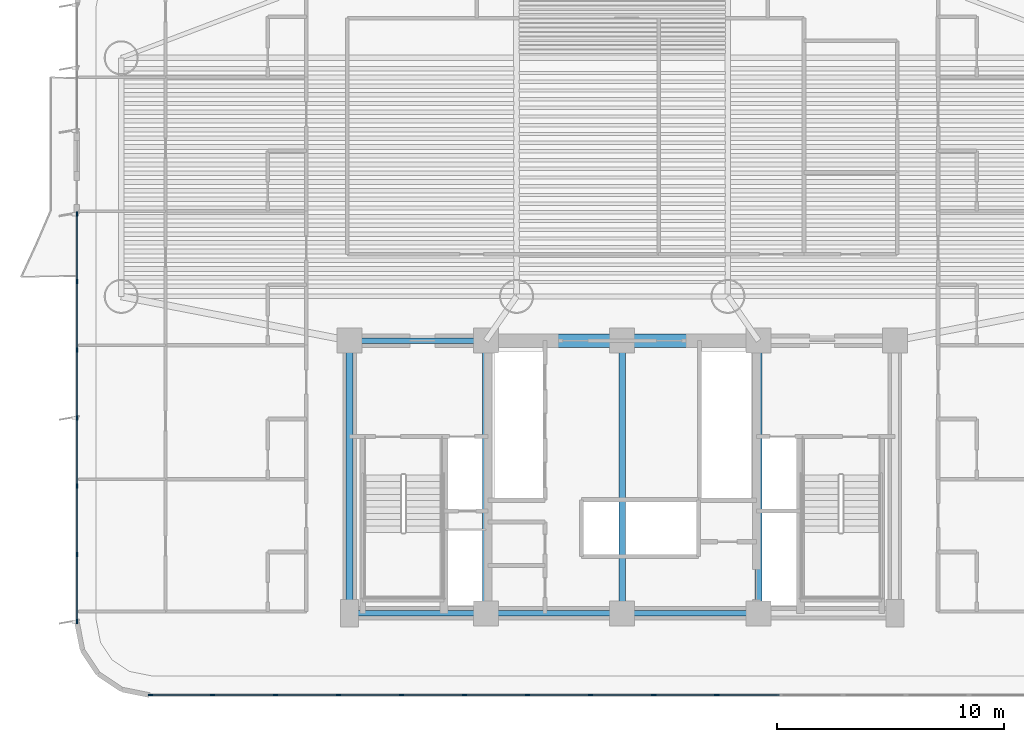
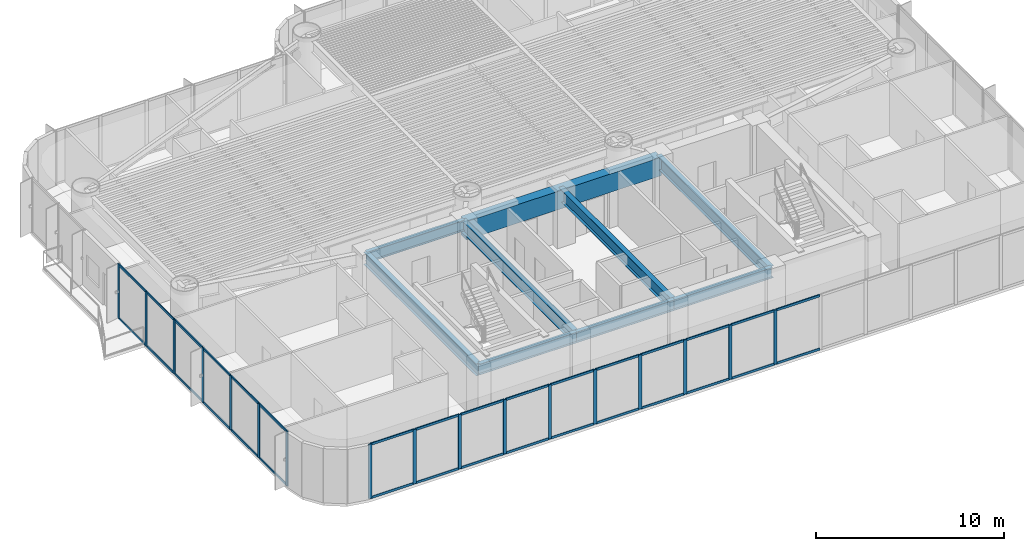
# One storey, part 2 of 18: 49 members, 9 beams, 2 elements without a shape of their own.
"""IFC4 building model written with IfcOpenShell, lengths in metres."""

from ifc_helpers import new_model, si_unit, direction, frame, origin, origin_2d, place, context, subcontext, project, spatial, rectangle, i_section, extrude, source, transform, mapped, material, layer, layer_set, material_profile, profile_set, type_object, element, aggregate, save


model = new_model("IFC4")

# Units and contexts
model_context = context("Model", 3, precision=1e-05, world=origin(), true_north=direction((0.0, 1.0)))
body_context = subcontext(model_context, "Body", "Model", "MODEL_VIEW")
ifc_project = project(units=[si_unit("LENGTHUNIT", "METRE"), si_unit("AREAUNIT", "SQUARE_METRE"), si_unit("VOLUMEUNIT", "CUBIC_METRE"), si_unit("PLANEANGLEUNIT", "RADIAN"), si_unit("MASSUNIT", "GRAM", prefix="KILO")], contexts=[model_context])

# Site, building, storey
site_placement = place(None, origin())
site = spatial("IfcSite", under=ifc_project, at=site_placement, CompositionType="ELEMENT")
building_placement = place(site_placement, origin())
building = spatial("IfcBuilding", under=site, at=building_placement, Name="Brelvock Crest Care Tower", CompositionType="ELEMENT")
storey_placement = place(building_placement, frame((0.0, 0.0, 42.1201171875)))
storey = spatial("IfcBuildingStorey", under=building, at=storey_placement, Name="L10", CompositionType="ELEMENT", Elevation=42.1201171875)

# Beams
ifc_material_1 = material(Name="Concrete S80 (80 MPa)", Category="concrete")
ifc_material_profile_1 = material_profile(ifc_material_1, rectangle(XDim=0.60009765625, YDim=1.199951171875, at=origin_2d()), Name="RC600x1200")
ifc_profile_set_1 = profile_set([ifc_material_profile_1], Name="Concrete S80 (80 MPa)")
beam_type_1 = type_object("IfcBeamType", Name="BM-LN1", PredefinedType="LINTEL", material=ifc_profile_set_1)
shared_shape_1 = source(origin(), body_context, "Body", "SweptSolid", [
    extrude(rectangle(XDim=0.60009765625, YDim=1.199951171875, at=origin_2d()), origin(), (0.0, 0.0, 1.0), 12.0),
])
beam_placement = place(storey_placement, frame((30.0, 18.0, 2.929931640625), z_axis=(1.0, 0.0, 0.0), x_axis=(0.0, 1.0, 0.0)))
element("IfcBeam", 1, at=beam_placement, inside=storey, type_object=beam_type_1, Name="L10 Core Coupling Lintel Beam", PredefinedType="LINTEL", context=body_context, shape_type="MappedRepresentation", body=[
    mapped(shared_shape_1, transform((0.0, 0.0, 0.0), x_axis=(1.0, 0.0, 0.0), y_axis=(0.0, 1.0, 0.0), z_axis=(0.0, 0.0, 1.0), scale=1.0)),
])
ifc_material_2 = material(Name="Steel Grade 350", Category="steel")
ifc_material_profile_2 = material_profile(ifc_material_2, i_section(OverallWidth=0.25, OverallDepth=0.699951171875, WebThickness=0.011962890625, FlangeThickness=0.02001953125, at=origin_2d()), Name="700WB150")
ifc_profile_set_2 = profile_set([ifc_material_profile_2], Name="Steel Grade 350")
beam_type_2 = type_object("IfcBeamType", Name="BM-G4", PredefinedType="BEAM", material=ifc_profile_set_2)
shared_shape_2 = source(origin(), body_context, "Body", "SweptSolid", [
    extrude(i_section(OverallWidth=0.25, OverallDepth=0.699951171875, WebThickness=0.011962890625, FlangeThickness=0.02001953125, at=origin_2d()), origin(), (0.0, 0.0, 1.0), 6.0),
])
for number, where, z_axis, x_axis, name in (
    (2, (24.0, 6.0, 3.179931640625), (1.0, 0.0, 0.0), (0.0, 1.0, 0.0), "BM-CORES-L10-1"),
    (3, (24.0, 18.0, 3.179931640625), (1.0, 0.0, 0.0), (0.0, 1.0, 0.0), "BM-COREN-L10-1"),
    (4, (30.0, 6.0, 3.179931640625), (1.0, 0.0, 0.0), (0.0, 1.0, 0.0), "BM-CORES-L10-2"),
    (5, (36.0, 6.0, 3.179931640625), (1.0, 0.0, 0.0), (0.0, 1.0, 0.0), "BM-CORES-L10-3"),
):
    element("IfcBeam", number, at=place(storey_placement, frame(where, z_axis=z_axis, x_axis=x_axis)), inside=storey, type_object=beam_type_2, Name=name, PredefinedType="BEAM", context=body_context, shape_type="MappedRepresentation", body=[
        mapped(shared_shape_2, transform((0.0, 0.0, 0.0), x_axis=(1.0, 0.0, 0.0), y_axis=(0.0, 1.0, 0.0), z_axis=(0.0, 0.0, 1.0), scale=1.0)),
    ])
ifc_material_profile_3 = material_profile(ifc_material_2, i_section(OverallWidth=0.300048828125, OverallDepth=0.800048828125, WebThickness=0.013916015625, FlangeThickness=0.02197265625, at=origin_2d()), Name="800WB192")
ifc_profile_set_3 = profile_set([ifc_material_profile_3], Name="Steel Grade 350")
beam_type_3 = type_object("IfcBeamType", Name="BM-G5", PredefinedType="BEAM", material=ifc_profile_set_3)
shared_shape_3 = source(origin(), body_context, "Body", "SweptSolid", [
    extrude(i_section(OverallWidth=0.300048828125, OverallDepth=0.800048828125, WebThickness=0.013916015625, FlangeThickness=0.02197265625, at=origin_2d()), origin(), (0.0, 0.0, 1.0), 12.0),
])
for number, where, z_axis, x_axis, name in (
    (6, (24.0, 6.0, 3.1298828125), (0.0, 1.0, 0.0), (-1.0, 0.0, 0.0), "BM-COREX-L10-1"),
    (7, (30.0, 6.0, 3.1298828125), (0.0, 1.0, 0.0), (-1.0, 0.0, 0.0), "BM-COREX-L10-2"),
    (8, (36.0, 6.0, 3.1298828125), (0.0, 1.0, 0.0), (-1.0, 0.0, 0.0), "BM-COREX-L10-3"),
    (9, (42.0, 6.0, 3.1298828125), (0.0, 1.0, 0.0), (-1.0, 0.0, 0.0), "BM-COREX-L10-4"),
):
    element("IfcBeam", number, at=place(storey_placement, frame(where, z_axis=z_axis, x_axis=x_axis)), inside=storey, type_object=beam_type_3, Name=name, PredefinedType="BEAM", context=body_context, shape_type="MappedRepresentation", body=[
        mapped(shared_shape_3, transform((0.0, 0.0, 0.0), x_axis=(1.0, 0.0, 0.0), y_axis=(0.0, 1.0, 0.0), z_axis=(0.0, 0.0, 1.0), scale=1.0)),
    ])

# Curtain wall, members
ifc_material_3 = material(Name="Dark Glass Double Glazed Low-E", Category="glass")
ifc_layer = layer(ifc_material_3, 0.195068359375, Name="CWS-2")
ifc_layer_set = layer_set([ifc_layer], Name="Dark Glass Double Glazed Low-E")
curtain_wall_type = type_object("IfcCurtainWallType", Name="CWS-2", PredefinedType="NOTDEFINED", material=ifc_layer_set)
curtain_wall_1_placement = place(storey_placement, origin())
curtain_wall_1 = element("IfcCurtainWall", 10, at=curtain_wall_1_placement, inside=storey, type_object=curtain_wall_type, Name="L10 Curtain Wall E08", PredefinedType="NOTDEFINED")
ifc_material_4 = material(Name="Aluminium 6063-T6", Category="aluminium")
ifc_material_profile_4 = material_profile(ifc_material_4, rectangle(XDim=0.06494140625, YDim=0.14990234375, at=origin_2d()), Name="ALU65x150")
ifc_profile_set_4 = profile_set([ifc_material_profile_4], Name="Aluminium 6063-T6")
member_type_1 = type_object("IfcMemberType", Name="CWT-1", PredefinedType="USERDEFINED", material=ifc_profile_set_4)
shared_shape_4 = source(origin(), body_context, "Body", "SweptSolid", [
    extrude(rectangle(XDim=0.06494140625, YDim=0.14990234375, at=origin_2d()), origin(), (0.0, 0.0, 1.0), 2.676025390625),
])
member_1_placement = place(storey_placement, frame((17.94091796875, 2.39990234375, 0.032470703125), z_axis=(-1.0, 0.0, 0.0), x_axis=(0.0, -1.0, 0.0)))
member_1 = element("IfcMember", 11, at=member_1_placement, type_object=member_type_1, Name="CW-2 transom 15.1", ObjectType="TRANSOM", PredefinedType="USERDEFINED", context=body_context, shape_type="MappedRepresentation", body=[
    mapped(shared_shape_4, transform((0.0, 0.0, 0.0), x_axis=(1.0, 0.0, 0.0), y_axis=(0.0, 1.0, 0.0), z_axis=(0.0, 0.0, 1.0), scale=1.0)),
])
member_2_placement = place(storey_placement, frame((17.94091796875, 2.39990234375, 3.497314453125), z_axis=(-1.0, 0.0, 0.0), x_axis=(0.0, -1.0, 0.0)))
member_2 = element("IfcMember", 12, at=member_2_placement, type_object=member_type_1, Name="CW-2 transom 15.2", ObjectType="TRANSOM", PredefinedType="USERDEFINED", context=body_context, shape_type="MappedRepresentation", body=[
    mapped(shared_shape_4, transform((0.0, 0.0, 0.0), x_axis=(1.0, 0.0, 0.0), y_axis=(0.0, 1.0, 0.0), z_axis=(0.0, 0.0, 1.0), scale=1.0)),
])
shared_shape_5 = source(origin(), body_context, "Body", "SweptSolid", [
    extrude(rectangle(XDim=0.06494140625, YDim=0.14990234375, at=origin_2d()), origin(), (0.0, 0.0, 1.0), 2.708251953125),
])
member_3_placement = place(storey_placement, frame((40.12744140625, 2.39990234375, 0.032470703125), z_axis=(-1.0, 0.0, 0.0), x_axis=(0.0, -1.0, 0.0)))
member_3 = element("IfcMember", 13, at=member_3_placement, type_object=member_type_1, Name="CW-2 transom 7.1", ObjectType="TRANSOM", PredefinedType="USERDEFINED", context=body_context, shape_type="MappedRepresentation", body=[
    mapped(shared_shape_5, transform((0.0, 0.0, 0.0), x_axis=(1.0, 0.0, 0.0), y_axis=(0.0, 1.0, 0.0), z_axis=(0.0, 0.0, 1.0), scale=1.0)),
])
member_4_placement = place(storey_placement, frame((40.12744140625, 2.39990234375, 3.497314453125), z_axis=(-1.0, 0.0, 0.0), x_axis=(0.0, -1.0, 0.0)))
member_4 = element("IfcMember", 14, at=member_4_placement, type_object=member_type_1, Name="CW-2 transom 7.2", ObjectType="TRANSOM", PredefinedType="USERDEFINED", context=body_context, shape_type="MappedRepresentation", body=[
    mapped(shared_shape_5, transform((0.0, 0.0, 0.0), x_axis=(1.0, 0.0, 0.0), y_axis=(0.0, 1.0, 0.0), z_axis=(0.0, 0.0, 1.0), scale=1.0)),
])
member_5_placement = place(storey_placement, frame((34.580810546875, 2.39990234375, 0.032470703125), z_axis=(-1.0, 0.0, 0.0), x_axis=(0.0, -1.0, 0.0)))
member_5 = element("IfcMember", 15, at=member_5_placement, type_object=member_type_1, Name="CW-2 transom 9.1", ObjectType="TRANSOM", PredefinedType="USERDEFINED", context=body_context, shape_type="MappedRepresentation", body=[
    mapped(shared_shape_5, transform((0.0, 0.0, 0.0), x_axis=(1.0, 0.0, 0.0), y_axis=(0.0, 1.0, 0.0), z_axis=(0.0, 0.0, 1.0), scale=1.0)),
])
member_6_placement = place(storey_placement, frame((34.580810546875, 2.39990234375, 3.497314453125), z_axis=(-1.0, 0.0, 0.0), x_axis=(0.0, -1.0, 0.0)))
member_6 = element("IfcMember", 16, at=member_6_placement, type_object=member_type_1, Name="CW-2 transom 9.2", ObjectType="TRANSOM", PredefinedType="USERDEFINED", context=body_context, shape_type="MappedRepresentation", body=[
    mapped(shared_shape_5, transform((0.0, 0.0, 0.0), x_axis=(1.0, 0.0, 0.0), y_axis=(0.0, 1.0, 0.0), z_axis=(0.0, 0.0, 1.0), scale=1.0)),
])
member_7_placement = place(storey_placement, frame((29.0341796875, 2.39990234375, 0.032470703125), z_axis=(-1.0, 0.0, 0.0), x_axis=(0.0, -1.0, 0.0)))
member_7 = element("IfcMember", 17, at=member_7_placement, type_object=member_type_1, Name="CW-2 transom 11.1", ObjectType="TRANSOM", PredefinedType="USERDEFINED", context=body_context, shape_type="MappedRepresentation", body=[
    mapped(shared_shape_5, transform((0.0, 0.0, 0.0), x_axis=(1.0, 0.0, 0.0), y_axis=(0.0, 1.0, 0.0), z_axis=(0.0, 0.0, 1.0), scale=1.0)),
])
member_8_placement = place(storey_placement, frame((29.0341796875, 2.39990234375, 3.497314453125), z_axis=(-1.0, 0.0, 0.0), x_axis=(0.0, -1.0, 0.0)))
member_8 = element("IfcMember", 18, at=member_8_placement, type_object=member_type_1, Name="CW-2 transom 11.2", ObjectType="TRANSOM", PredefinedType="USERDEFINED", context=body_context, shape_type="MappedRepresentation", body=[
    mapped(shared_shape_5, transform((0.0, 0.0, 0.0), x_axis=(1.0, 0.0, 0.0), y_axis=(0.0, 1.0, 0.0), z_axis=(0.0, 0.0, 1.0), scale=1.0)),
])
member_9_placement = place(storey_placement, frame((26.2607421875, 2.39990234375, 0.032470703125), z_axis=(-1.0, 0.0, 0.0), x_axis=(0.0, -1.0, 0.0)))
member_9 = element("IfcMember", 19, at=member_9_placement, type_object=member_type_1, Name="CW-2 transom 12.1", ObjectType="TRANSOM", PredefinedType="USERDEFINED", context=body_context, shape_type="MappedRepresentation", body=[
    mapped(shared_shape_5, transform((0.0, 0.0, 0.0), x_axis=(1.0, 0.0, 0.0), y_axis=(0.0, 1.0, 0.0), z_axis=(0.0, 0.0, 1.0), scale=1.0)),
])
member_10_placement = place(storey_placement, frame((26.2607421875, 2.39990234375, 3.497314453125), z_axis=(-1.0, 0.0, 0.0), x_axis=(0.0, -1.0, 0.0)))
member_10 = element("IfcMember", 20, at=member_10_placement, type_object=member_type_1, Name="CW-2 transom 12.2", ObjectType="TRANSOM", PredefinedType="USERDEFINED", context=body_context, shape_type="MappedRepresentation", body=[
    mapped(shared_shape_5, transform((0.0, 0.0, 0.0), x_axis=(1.0, 0.0, 0.0), y_axis=(0.0, 1.0, 0.0), z_axis=(0.0, 0.0, 1.0), scale=1.0)),
])
member_11_placement = place(storey_placement, frame((20.714111328125, 2.39990234375, 0.032470703125), z_axis=(-1.0, 0.0, 0.0), x_axis=(0.0, -1.0, 0.0)))
member_11 = element("IfcMember", 21, at=member_11_placement, type_object=member_type_1, Name="CW-2 transom 14.1", ObjectType="TRANSOM", PredefinedType="USERDEFINED", context=body_context, shape_type="MappedRepresentation", body=[
    mapped(shared_shape_5, transform((0.0, 0.0, 0.0), x_axis=(1.0, 0.0, 0.0), y_axis=(0.0, 1.0, 0.0), z_axis=(0.0, 0.0, 1.0), scale=1.0)),
])
member_12_placement = place(storey_placement, frame((20.714111328125, 2.39990234375, 3.497314453125), z_axis=(-1.0, 0.0, 0.0), x_axis=(0.0, -1.0, 0.0)))
member_12 = element("IfcMember", 22, at=member_12_placement, type_object=member_type_1, Name="CW-2 transom 14.2", ObjectType="TRANSOM", PredefinedType="USERDEFINED", context=body_context, shape_type="MappedRepresentation", body=[
    mapped(shared_shape_5, transform((0.0, 0.0, 0.0), x_axis=(1.0, 0.0, 0.0), y_axis=(0.0, 1.0, 0.0), z_axis=(0.0, 0.0, 1.0), scale=1.0)),
])
shared_shape_6 = source(origin(), body_context, "Body", "SweptSolid", [
    extrude(rectangle(XDim=0.06494140625, YDim=0.14990234375, at=origin_2d()), origin(), (0.0, 0.0, 1.0), 2.70849609375),
])
member_13_placement = place(storey_placement, frame((42.90087890625, 2.39990234375, 0.032470703125), z_axis=(-1.0, 0.0, 0.0), x_axis=(0.0, -1.0, 0.0)))
member_13 = element("IfcMember", 23, at=member_13_placement, type_object=member_type_1, Name="CW-2 transom 6.1", ObjectType="TRANSOM", PredefinedType="USERDEFINED", context=body_context, shape_type="MappedRepresentation", body=[
    mapped(shared_shape_6, transform((0.0, 0.0, 0.0), x_axis=(1.0, 0.0, 0.0), y_axis=(0.0, 1.0, 0.0), z_axis=(0.0, 0.0, 1.0), scale=1.0)),
])
member_14_placement = place(storey_placement, frame((42.90087890625, 2.39990234375, 3.497314453125), z_axis=(-1.0, 0.0, 0.0), x_axis=(0.0, -1.0, 0.0)))
member_14 = element("IfcMember", 24, at=member_14_placement, type_object=member_type_1, Name="CW-2 transom 6.2", ObjectType="TRANSOM", PredefinedType="USERDEFINED", context=body_context, shape_type="MappedRepresentation", body=[
    mapped(shared_shape_6, transform((0.0, 0.0, 0.0), x_axis=(1.0, 0.0, 0.0), y_axis=(0.0, 1.0, 0.0), z_axis=(0.0, 0.0, 1.0), scale=1.0)),
])
member_15_placement = place(storey_placement, frame((37.354248046875, 2.39990234375, 0.032470703125), z_axis=(-1.0, 0.0, 0.0), x_axis=(0.0, -1.0, 0.0)))
member_15 = element("IfcMember", 25, at=member_15_placement, type_object=member_type_1, Name="CW-2 transom 8.1", ObjectType="TRANSOM", PredefinedType="USERDEFINED", context=body_context, shape_type="MappedRepresentation", body=[
    mapped(shared_shape_6, transform((0.0, 0.0, 0.0), x_axis=(1.0, 0.0, 0.0), y_axis=(0.0, 1.0, 0.0), z_axis=(0.0, 0.0, 1.0), scale=1.0)),
])
member_16_placement = place(storey_placement, frame((37.354248046875, 2.39990234375, 3.497314453125), z_axis=(-1.0, 0.0, 0.0), x_axis=(0.0, -1.0, 0.0)))
member_16 = element("IfcMember", 26, at=member_16_placement, type_object=member_type_1, Name="CW-2 transom 8.2", ObjectType="TRANSOM", PredefinedType="USERDEFINED", context=body_context, shape_type="MappedRepresentation", body=[
    mapped(shared_shape_6, transform((0.0, 0.0, 0.0), x_axis=(1.0, 0.0, 0.0), y_axis=(0.0, 1.0, 0.0), z_axis=(0.0, 0.0, 1.0), scale=1.0)),
])
member_17_placement = place(storey_placement, frame((31.8076171875, 2.39990234375, 0.032470703125), z_axis=(-1.0, 0.0, 0.0), x_axis=(0.0, -1.0, 0.0)))
member_17 = element("IfcMember", 27, at=member_17_placement, type_object=member_type_1, Name="CW-2 transom 10.1", ObjectType="TRANSOM", PredefinedType="USERDEFINED", context=body_context, shape_type="MappedRepresentation", body=[
    mapped(shared_shape_6, transform((0.0, 0.0, 0.0), x_axis=(1.0, 0.0, 0.0), y_axis=(0.0, 1.0, 0.0), z_axis=(0.0, 0.0, 1.0), scale=1.0)),
])
member_18_placement = place(storey_placement, frame((31.8076171875, 2.39990234375, 3.497314453125), z_axis=(-1.0, 0.0, 0.0), x_axis=(0.0, -1.0, 0.0)))
member_18 = element("IfcMember", 28, at=member_18_placement, type_object=member_type_1, Name="CW-2 transom 10.2", ObjectType="TRANSOM", PredefinedType="USERDEFINED", context=body_context, shape_type="MappedRepresentation", body=[
    mapped(shared_shape_6, transform((0.0, 0.0, 0.0), x_axis=(1.0, 0.0, 0.0), y_axis=(0.0, 1.0, 0.0), z_axis=(0.0, 0.0, 1.0), scale=1.0)),
])
member_19_placement = place(storey_placement, frame((23.487548828125, 2.39990234375, 0.032470703125), z_axis=(-1.0, 0.0, 0.0), x_axis=(0.0, -1.0, 0.0)))
member_19 = element("IfcMember", 29, at=member_19_placement, type_object=member_type_1, Name="CW-2 transom 13.1", ObjectType="TRANSOM", PredefinedType="USERDEFINED", context=body_context, shape_type="MappedRepresentation", body=[
    mapped(shared_shape_6, transform((0.0, 0.0, 0.0), x_axis=(1.0, 0.0, 0.0), y_axis=(0.0, 1.0, 0.0), z_axis=(0.0, 0.0, 1.0), scale=1.0)),
])
member_20_placement = place(storey_placement, frame((23.487548828125, 2.39990234375, 3.497314453125), z_axis=(-1.0, 0.0, 0.0), x_axis=(0.0, -1.0, 0.0)))
member_20 = element("IfcMember", 30, at=member_20_placement, type_object=member_type_1, Name="CW-2 transom 13.2", ObjectType="TRANSOM", PredefinedType="USERDEFINED", context=body_context, shape_type="MappedRepresentation", body=[
    mapped(shared_shape_6, transform((0.0, 0.0, 0.0), x_axis=(1.0, 0.0, 0.0), y_axis=(0.0, 1.0, 0.0), z_axis=(0.0, 0.0, 1.0), scale=1.0)),
])

curtain_wall_2_placement = place(storey_placement, origin())
curtain_wall_2 = element("IfcCurtainWall", 31, at=curtain_wall_2_placement, inside=storey, type_object=curtain_wall_type, Name="L10 Curtain Wall E13A", PredefinedType="NOTDEFINED")
shared_shape_7 = source(origin(), body_context, "Body", "SweptSolid", [
    extrude(rectangle(XDim=0.06494140625, YDim=0.14990234375, at=origin_2d()), origin(), (0.0, 0.0, 1.0), 2.90234375),
])
member_21_placement = place(storey_placement, frame((12.0, 5.6650390625, 0.032470703125), z_axis=(0.0, 1.0, 0.0), x_axis=(-1.0, 0.0, 0.0)))
member_21 = element("IfcMember", 32, at=member_21_placement, type_object=member_type_1, Name="CW-2 transom 1.1", ObjectType="TRANSOM", PredefinedType="USERDEFINED", context=body_context, shape_type="MappedRepresentation", body=[
    mapped(shared_shape_7, transform((0.0, 0.0, 0.0), x_axis=(1.0, 0.0, 0.0), y_axis=(0.0, 1.0, 0.0), z_axis=(0.0, 0.0, 1.0), scale=1.0)),
])
member_22_placement = place(storey_placement, frame((12.0, 5.6650390625, 3.497314453125), z_axis=(0.0, 1.0, 0.0), x_axis=(-1.0, 0.0, 0.0)))
member_22 = element("IfcMember", 33, at=member_22_placement, type_object=member_type_1, Name="CW-2 transom 1.2", ObjectType="TRANSOM", PredefinedType="USERDEFINED", context=body_context, shape_type="MappedRepresentation", body=[
    mapped(shared_shape_7, transform((0.0, 0.0, 0.0), x_axis=(1.0, 0.0, 0.0), y_axis=(0.0, 1.0, 0.0), z_axis=(0.0, 0.0, 1.0), scale=1.0)),
])
member_23_placement = place(storey_placement, frame((12.0, 20.632568359375, 0.032470703125), z_axis=(0.0, 1.0, 0.0), x_axis=(-1.0, 0.0, 0.0)))
member_23 = element("IfcMember", 34, at=member_23_placement, type_object=member_type_1, Name="CW-2 transom 6.1", ObjectType="TRANSOM", PredefinedType="USERDEFINED", context=body_context, shape_type="MappedRepresentation", body=[
    mapped(shared_shape_7, transform((0.0, 0.0, 0.0), x_axis=(1.0, 0.0, 0.0), y_axis=(0.0, 1.0, 0.0), z_axis=(0.0, 0.0, 1.0), scale=1.0)),
])
member_24_placement = place(storey_placement, frame((12.0, 20.632568359375, 3.497314453125), z_axis=(0.0, 1.0, 0.0), x_axis=(-1.0, 0.0, 0.0)))
member_24 = element("IfcMember", 35, at=member_24_placement, type_object=member_type_1, Name="CW-2 transom 6.2", ObjectType="TRANSOM", PredefinedType="USERDEFINED", context=body_context, shape_type="MappedRepresentation", body=[
    mapped(shared_shape_7, transform((0.0, 0.0, 0.0), x_axis=(1.0, 0.0, 0.0), y_axis=(0.0, 1.0, 0.0), z_axis=(0.0, 0.0, 1.0), scale=1.0)),
])
shared_shape_8 = source(origin(), body_context, "Body", "SweptSolid", [
    extrude(rectangle(XDim=0.06494140625, YDim=0.14990234375, at=origin_2d()), origin(), (0.0, 0.0, 1.0), 2.934814453125),
])
member_25_placement = place(storey_placement, frame((12.0, 8.632568359375, 0.032470703125), z_axis=(0.0, 1.0, 0.0), x_axis=(-1.0, 0.0, 0.0)))
member_25 = element("IfcMember", 36, at=member_25_placement, type_object=member_type_1, Name="CW-2 transom 2.1", ObjectType="TRANSOM", PredefinedType="USERDEFINED", context=body_context, shape_type="MappedRepresentation", body=[
    mapped(shared_shape_8, transform((0.0, 0.0, 0.0), x_axis=(1.0, 0.0, 0.0), y_axis=(0.0, 1.0, 0.0), z_axis=(0.0, 0.0, 1.0), scale=1.0)),
])
member_26_placement = place(storey_placement, frame((12.0, 8.632568359375, 3.497314453125), z_axis=(0.0, 1.0, 0.0), x_axis=(-1.0, 0.0, 0.0)))
member_26 = element("IfcMember", 37, at=member_26_placement, type_object=member_type_1, Name="CW-2 transom 2.2", ObjectType="TRANSOM", PredefinedType="USERDEFINED", context=body_context, shape_type="MappedRepresentation", body=[
    mapped(shared_shape_8, transform((0.0, 0.0, 0.0), x_axis=(1.0, 0.0, 0.0), y_axis=(0.0, 1.0, 0.0), z_axis=(0.0, 0.0, 1.0), scale=1.0)),
])
member_27_placement = place(storey_placement, frame((12.0, 11.632568359375, 0.032470703125), z_axis=(0.0, 1.0, 0.0), x_axis=(-1.0, 0.0, 0.0)))
member_27 = element("IfcMember", 38, at=member_27_placement, type_object=member_type_1, Name="CW-2 transom 3.1", ObjectType="TRANSOM", PredefinedType="USERDEFINED", context=body_context, shape_type="MappedRepresentation", body=[
    mapped(shared_shape_8, transform((0.0, 0.0, 0.0), x_axis=(1.0, 0.0, 0.0), y_axis=(0.0, 1.0, 0.0), z_axis=(0.0, 0.0, 1.0), scale=1.0)),
])
member_28_placement = place(storey_placement, frame((12.0, 11.632568359375, 3.497314453125), z_axis=(0.0, 1.0, 0.0), x_axis=(-1.0, 0.0, 0.0)))
member_28 = element("IfcMember", 39, at=member_28_placement, type_object=member_type_1, Name="CW-2 transom 3.2", ObjectType="TRANSOM", PredefinedType="USERDEFINED", context=body_context, shape_type="MappedRepresentation", body=[
    mapped(shared_shape_8, transform((0.0, 0.0, 0.0), x_axis=(1.0, 0.0, 0.0), y_axis=(0.0, 1.0, 0.0), z_axis=(0.0, 0.0, 1.0), scale=1.0)),
])
member_29_placement = place(storey_placement, frame((12.0, 14.632568359375, 0.032470703125), z_axis=(0.0, 1.0, 0.0), x_axis=(-1.0, 0.0, 0.0)))
member_29 = element("IfcMember", 40, at=member_29_placement, type_object=member_type_1, Name="CW-2 transom 4.1", ObjectType="TRANSOM", PredefinedType="USERDEFINED", context=body_context, shape_type="MappedRepresentation", body=[
    mapped(shared_shape_8, transform((0.0, 0.0, 0.0), x_axis=(1.0, 0.0, 0.0), y_axis=(0.0, 1.0, 0.0), z_axis=(0.0, 0.0, 1.0), scale=1.0)),
])
member_30_placement = place(storey_placement, frame((12.0, 14.632568359375, 3.497314453125), z_axis=(0.0, 1.0, 0.0), x_axis=(-1.0, 0.0, 0.0)))
member_30 = element("IfcMember", 41, at=member_30_placement, type_object=member_type_1, Name="CW-2 transom 4.2", ObjectType="TRANSOM", PredefinedType="USERDEFINED", context=body_context, shape_type="MappedRepresentation", body=[
    mapped(shared_shape_8, transform((0.0, 0.0, 0.0), x_axis=(1.0, 0.0, 0.0), y_axis=(0.0, 1.0, 0.0), z_axis=(0.0, 0.0, 1.0), scale=1.0)),
])
member_31_placement = place(storey_placement, frame((12.0, 17.632568359375, 0.032470703125), z_axis=(0.0, 1.0, 0.0), x_axis=(-1.0, 0.0, 0.0)))
member_31 = element("IfcMember", 42, at=member_31_placement, type_object=member_type_1, Name="CW-2 transom 5.1", ObjectType="TRANSOM", PredefinedType="USERDEFINED", context=body_context, shape_type="MappedRepresentation", body=[
    mapped(shared_shape_8, transform((0.0, 0.0, 0.0), x_axis=(1.0, 0.0, 0.0), y_axis=(0.0, 1.0, 0.0), z_axis=(0.0, 0.0, 1.0), scale=1.0)),
])
member_32_placement = place(storey_placement, frame((12.0, 17.632568359375, 3.497314453125), z_axis=(0.0, 1.0, 0.0), x_axis=(-1.0, 0.0, 0.0)))
member_32 = element("IfcMember", 43, at=member_32_placement, type_object=member_type_1, Name="CW-2 transom 5.2", ObjectType="TRANSOM", PredefinedType="USERDEFINED", context=body_context, shape_type="MappedRepresentation", body=[
    mapped(shared_shape_8, transform((0.0, 0.0, 0.0), x_axis=(1.0, 0.0, 0.0), y_axis=(0.0, 1.0, 0.0), z_axis=(0.0, 0.0, 1.0), scale=1.0)),
])

# Member
ifc_material_profile_5 = material_profile(ifc_material_4, rectangle(XDim=0.06494140625, YDim=0.199951171875, at=origin_2d()), Name="ALU65x200")
ifc_profile_set_5 = profile_set([ifc_material_profile_5], Name="Aluminium 6063-T6")
member_type_2 = type_object("IfcMemberType", Name="CWM-1", PredefinedType="MULLION", material=ifc_profile_set_5)
shared_shape_9 = source(origin(), body_context, "Body", "SweptSolid", [
    extrude(rectangle(XDim=0.06494140625, YDim=0.199951171875, at=origin_2d()), origin(), (0.0, 0.0, 1.0), 3.52978515625),
])
member_33_placement = place(storey_placement, frame((40.159912109375, 2.39990234375, 0.0), z_axis=(0.0, 0.0, 1.0), x_axis=(0.0, -1.0, 0.0)))
member_33 = element("IfcMember", 44, at=member_33_placement, type_object=member_type_2, Name="CW-2 mullion 7", PredefinedType="MULLION", context=body_context, shape_type="MappedRepresentation", body=[
    mapped(shared_shape_9, transform((0.0, 0.0, 0.0), x_axis=(1.0, 0.0, 0.0), y_axis=(0.0, 1.0, 0.0), z_axis=(0.0, 0.0, 1.0), scale=1.0)),
])

member_34_placement = place(storey_placement, frame((37.38671875, 2.39990234375, 0.0), z_axis=(0.0, 0.0, 1.0), x_axis=(0.0, -1.0, 0.0)))
member_34 = element("IfcMember", 45, at=member_34_placement, type_object=member_type_2, Name="CW-2 mullion 8", PredefinedType="MULLION", context=body_context, shape_type="MappedRepresentation", body=[
    mapped(shared_shape_9, transform((0.0, 0.0, 0.0), x_axis=(1.0, 0.0, 0.0), y_axis=(0.0, 1.0, 0.0), z_axis=(0.0, 0.0, 1.0), scale=1.0)),
])

member_35_placement = place(storey_placement, frame((34.61328125, 2.39990234375, 0.0), z_axis=(0.0, 0.0, 1.0), x_axis=(0.0, -1.0, 0.0)))
member_35 = element("IfcMember", 46, at=member_35_placement, type_object=member_type_2, Name="CW-2 mullion 9", PredefinedType="MULLION", context=body_context, shape_type="MappedRepresentation", body=[
    mapped(shared_shape_9, transform((0.0, 0.0, 0.0), x_axis=(1.0, 0.0, 0.0), y_axis=(0.0, 1.0, 0.0), z_axis=(0.0, 0.0, 1.0), scale=1.0)),
])

member_36_placement = place(storey_placement, frame((31.840087890625, 2.39990234375, 0.0), z_axis=(0.0, 0.0, 1.0), x_axis=(0.0, -1.0, 0.0)))
member_36 = element("IfcMember", 47, at=member_36_placement, type_object=member_type_2, Name="CW-2 mullion 10", PredefinedType="MULLION", context=body_context, shape_type="MappedRepresentation", body=[
    mapped(shared_shape_9, transform((0.0, 0.0, 0.0), x_axis=(1.0, 0.0, 0.0), y_axis=(0.0, 1.0, 0.0), z_axis=(0.0, 0.0, 1.0), scale=1.0)),
])

member_37_placement = place(storey_placement, frame((29.066650390625, 2.39990234375, 0.0), z_axis=(0.0, 0.0, 1.0), x_axis=(0.0, -1.0, 0.0)))
member_37 = element("IfcMember", 48, at=member_37_placement, type_object=member_type_2, Name="CW-2 mullion 11", PredefinedType="MULLION", context=body_context, shape_type="MappedRepresentation", body=[
    mapped(shared_shape_9, transform((0.0, 0.0, 0.0), x_axis=(1.0, 0.0, 0.0), y_axis=(0.0, 1.0, 0.0), z_axis=(0.0, 0.0, 1.0), scale=1.0)),
])

member_38_placement = place(storey_placement, frame((26.293212890625, 2.39990234375, 0.0), z_axis=(0.0, 0.0, 1.0), x_axis=(0.0, -1.0, 0.0)))
member_38 = element("IfcMember", 49, at=member_38_placement, type_object=member_type_2, Name="CW-2 mullion 12", PredefinedType="MULLION", context=body_context, shape_type="MappedRepresentation", body=[
    mapped(shared_shape_9, transform((0.0, 0.0, 0.0), x_axis=(1.0, 0.0, 0.0), y_axis=(0.0, 1.0, 0.0), z_axis=(0.0, 0.0, 1.0), scale=1.0)),
])

member_39_placement = place(storey_placement, frame((23.52001953125, 2.39990234375, 0.0), z_axis=(0.0, 0.0, 1.0), x_axis=(0.0, -1.0, 0.0)))
member_39 = element("IfcMember", 50, at=member_39_placement, type_object=member_type_2, Name="CW-2 mullion 13", PredefinedType="MULLION", context=body_context, shape_type="MappedRepresentation", body=[
    mapped(shared_shape_9, transform((0.0, 0.0, 0.0), x_axis=(1.0, 0.0, 0.0), y_axis=(0.0, 1.0, 0.0), z_axis=(0.0, 0.0, 1.0), scale=1.0)),
])

member_40_placement = place(storey_placement, frame((20.74658203125, 2.39990234375, 0.0), z_axis=(0.0, 0.0, 1.0), x_axis=(0.0, -1.0, 0.0)))
member_40 = element("IfcMember", 51, at=member_40_placement, type_object=member_type_2, Name="CW-2 mullion 14", PredefinedType="MULLION", context=body_context, shape_type="MappedRepresentation", body=[
    mapped(shared_shape_9, transform((0.0, 0.0, 0.0), x_axis=(1.0, 0.0, 0.0), y_axis=(0.0, 1.0, 0.0), z_axis=(0.0, 0.0, 1.0), scale=1.0)),
])

member_41_placement = place(storey_placement, frame((17.973388671875, 2.39990234375, 0.0), z_axis=(0.0, 0.0, 1.0), x_axis=(0.0, -1.0, 0.0)))
member_41 = element("IfcMember", 52, at=member_41_placement, type_object=member_type_2, Name="CW-2 mullion 15", PredefinedType="MULLION", context=body_context, shape_type="MappedRepresentation", body=[
    mapped(shared_shape_9, transform((0.0, 0.0, 0.0), x_axis=(1.0, 0.0, 0.0), y_axis=(0.0, 1.0, 0.0), z_axis=(0.0, 0.0, 1.0), scale=1.0)),
])

member_42_placement = place(storey_placement, frame((15.232421875, 2.39990234375, 0.0), z_axis=(0.0, 0.0, 1.0), x_axis=(0.0, -1.0, 0.0)))
member_42 = element("IfcMember", 53, at=member_42_placement, type_object=member_type_2, Name="CW-2 mullion 16", PredefinedType="MULLION", context=body_context, shape_type="MappedRepresentation", body=[
    mapped(shared_shape_9, transform((0.0, 0.0, 0.0), x_axis=(1.0, 0.0, 0.0), y_axis=(0.0, 1.0, 0.0), z_axis=(0.0, 0.0, 1.0), scale=1.0)),
])

aggregate(curtain_wall_1, [member_33, member_34, member_35, member_36, member_37, member_38, member_39, member_40, member_41, member_42, member_13, member_14, member_3, member_4, member_15, member_16, member_5, member_6, member_17, member_18, member_7, member_8, member_9, member_10, member_19, member_20, member_11, member_12, member_1, member_2])

member_43_placement = place(storey_placement, frame((12.0, 5.632568359375, 0.0), z_axis=(0.0, 0.0, 1.0), x_axis=(-1.0, 0.0, 0.0)))
member_43 = element("IfcMember", 54, at=member_43_placement, type_object=member_type_2, Name="CW-2 mullion 1", PredefinedType="MULLION", context=body_context, shape_type="MappedRepresentation", body=[
    mapped(shared_shape_9, transform((0.0, 0.0, 0.0), x_axis=(1.0, 0.0, 0.0), y_axis=(0.0, 1.0, 0.0), z_axis=(0.0, 0.0, 1.0), scale=1.0)),
])

member_44_placement = place(storey_placement, frame((12.0, 8.60009765625, 0.0), z_axis=(0.0, 0.0, 1.0), x_axis=(-1.0, 0.0, 0.0)))
member_44 = element("IfcMember", 55, at=member_44_placement, type_object=member_type_2, Name="CW-2 mullion 2", PredefinedType="MULLION", context=body_context, shape_type="MappedRepresentation", body=[
    mapped(shared_shape_9, transform((0.0, 0.0, 0.0), x_axis=(1.0, 0.0, 0.0), y_axis=(0.0, 1.0, 0.0), z_axis=(0.0, 0.0, 1.0), scale=1.0)),
])

member_45_placement = place(storey_placement, frame((12.0, 11.60009765625, 0.0), z_axis=(0.0, 0.0, 1.0), x_axis=(-1.0, 0.0, 0.0)))
member_45 = element("IfcMember", 56, at=member_45_placement, type_object=member_type_2, Name="CW-2 mullion 3", PredefinedType="MULLION", context=body_context, shape_type="MappedRepresentation", body=[
    mapped(shared_shape_9, transform((0.0, 0.0, 0.0), x_axis=(1.0, 0.0, 0.0), y_axis=(0.0, 1.0, 0.0), z_axis=(0.0, 0.0, 1.0), scale=1.0)),
])

member_46_placement = place(storey_placement, frame((12.0, 14.60009765625, 0.0), z_axis=(0.0, 0.0, 1.0), x_axis=(-1.0, 0.0, 0.0)))
member_46 = element("IfcMember", 57, at=member_46_placement, type_object=member_type_2, Name="CW-2 mullion 4", PredefinedType="MULLION", context=body_context, shape_type="MappedRepresentation", body=[
    mapped(shared_shape_9, transform((0.0, 0.0, 0.0), x_axis=(1.0, 0.0, 0.0), y_axis=(0.0, 1.0, 0.0), z_axis=(0.0, 0.0, 1.0), scale=1.0)),
])

member_47_placement = place(storey_placement, frame((12.0, 17.60009765625, 0.0), z_axis=(0.0, 0.0, 1.0), x_axis=(-1.0, 0.0, 0.0)))
member_47 = element("IfcMember", 58, at=member_47_placement, type_object=member_type_2, Name="CW-2 mullion 5", PredefinedType="MULLION", context=body_context, shape_type="MappedRepresentation", body=[
    mapped(shared_shape_9, transform((0.0, 0.0, 0.0), x_axis=(1.0, 0.0, 0.0), y_axis=(0.0, 1.0, 0.0), z_axis=(0.0, 0.0, 1.0), scale=1.0)),
])

member_48_placement = place(storey_placement, frame((12.0, 20.60009765625, 0.0), z_axis=(0.0, 0.0, 1.0), x_axis=(-1.0, 0.0, 0.0)))
member_48 = element("IfcMember", 59, at=member_48_placement, type_object=member_type_2, Name="CW-2 mullion 6", PredefinedType="MULLION", context=body_context, shape_type="MappedRepresentation", body=[
    mapped(shared_shape_9, transform((0.0, 0.0, 0.0), x_axis=(1.0, 0.0, 0.0), y_axis=(0.0, 1.0, 0.0), z_axis=(0.0, 0.0, 1.0), scale=1.0)),
])

member_49_placement = place(storey_placement, frame((12.0, 23.5673828125, 0.0), z_axis=(0.0, 0.0, 1.0), x_axis=(-1.0, 0.0, 0.0)))
member_49 = element("IfcMember", 60, at=member_49_placement, type_object=member_type_2, Name="CW-2 mullion 7", PredefinedType="MULLION", context=body_context, shape_type="MappedRepresentation", body=[
    mapped(shared_shape_9, transform((0.0, 0.0, 0.0), x_axis=(1.0, 0.0, 0.0), y_axis=(0.0, 1.0, 0.0), z_axis=(0.0, 0.0, 1.0), scale=1.0)),
])

aggregate(curtain_wall_2, [member_43, member_44, member_45, member_46, member_47, member_48, member_49, member_21, member_22, member_25, member_26, member_27, member_28, member_29, member_30, member_31, member_32, member_23, member_24])

save(model, "model.ifc")
